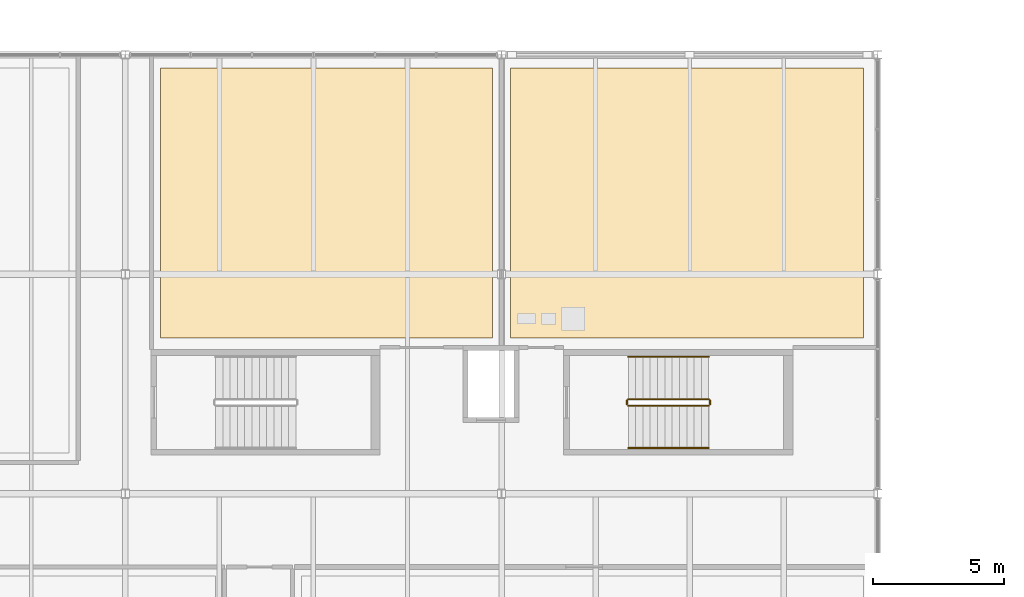
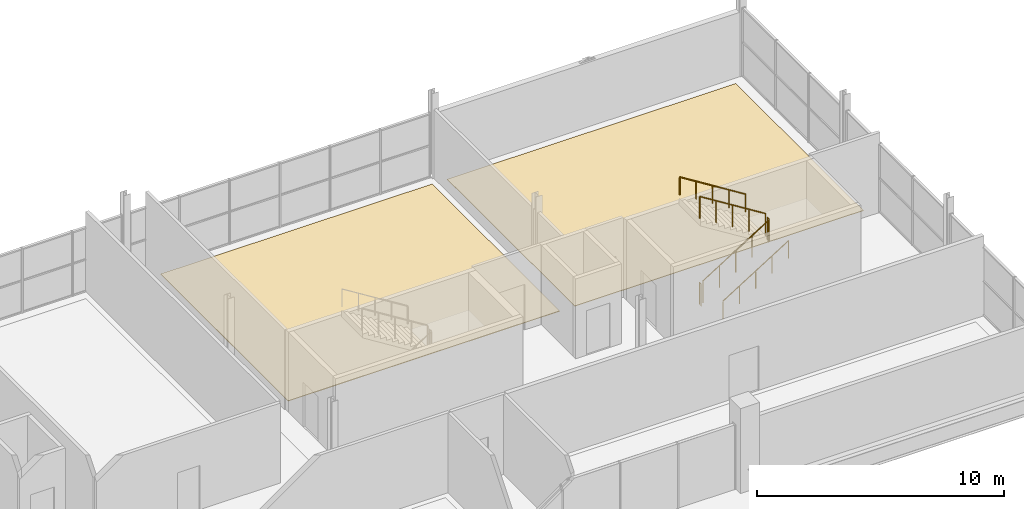
# One storey, part 92 of 93: 6 railings, 2 coverings.
"""IFC4 building model written with IfcOpenShell, lengths in metres."""

from ifc_helpers import new_model, si_unit, direction, frame, origin, origin_2d, place, context, subcontext, project, spatial, polyline, circle, outline, extrude, material, layer, layer_set, type_object, element, save


model = new_model("IFC4")

# Units and contexts
model_context = context("Model", 3, precision=1e-05, world=origin(), true_north=direction((0.0, 1.0)))
body_context = subcontext(model_context, "Body", "Model", "MODEL_VIEW")
ifc_project = project(units=[si_unit("LENGTHUNIT", "METRE"), si_unit("AREAUNIT", "SQUARE_METRE"), si_unit("VOLUMEUNIT", "CUBIC_METRE"), si_unit("PLANEANGLEUNIT", "RADIAN"), si_unit("MASSUNIT", "GRAM", prefix="KILO"), si_unit("THERMODYNAMICTEMPERATUREUNIT", "KELVIN")], contexts=[model_context])

# Site, building, storey
site_placement = place(None, origin())
site = spatial("IfcSite", under=ifc_project, at=site_placement, CompositionType="ELEMENT")
building_placement = place(site_placement, origin())
building = spatial("IfcBuilding", under=site, at=building_placement, Name="Nduvali Passage Aquatics Centre", CompositionType="ELEMENT")
storey_placement = place(building_placement, frame((0.0, 0.0, 9.0)))
storey = spatial("IfcBuildingStorey", under=building, at=storey_placement, Name="L02", CompositionType="ELEMENT", Elevation=9.0)

# Coverings
ifc_material_1 = material(Name="Polished coral-aggregate terrazzo")
ifc_layer_1 = layer(ifc_material_1, 0.030029296875, Name="Polished coral-aggregate terrazzo")
ifc_layer_set_1 = layer_set([ifc_layer_1], Name="Polished coral-aggregate terrazzo")
covering_type_1 = type_object("IfcCoveringType", Name="INT-COV-TERRAZZO", PredefinedType="FLOORING", material=ifc_layer_set_1)
covering_1_placement = place(storey_placement, origin())
element("IfcCovering", 1, at=covering_1_placement, inside=storey, type_object=covering_type_1, Name="L02 Physiotherapy and Aquatic Rehabilitation Clinic Floor Finish", PredefinedType="FLOORING", context=body_context, shape_type="SweptSolid", body=[
    extrude(outline(polyline([(98.550048828125, 106.75), (111.25, 106.75), (111.25, 117.090087890625), (98.550048828125, 117.090087890625), (98.550048828125, 106.75)])), origin(), (0.0, 0.0, 1.0), 0.030029296875),
])
ifc_material_2 = material(Name="Anti-slip ceramic pool deck tile")
ifc_layer_2 = layer(ifc_material_2, 0.02490234375, Name="Anti-slip ceramic pool deck tile")
ifc_layer_set_2 = layer_set([ifc_layer_2], Name="Anti-slip ceramic pool deck tile")
covering_type_2 = type_object("IfcCoveringType", Name="INT-COV-TILE", PredefinedType="FLOORING", material=ifc_layer_set_2)
covering_2_placement = place(storey_placement, origin())
element("IfcCovering", 2, at=covering_2_placement, inside=storey, type_object=covering_type_2, Name="L02 Sports Hydro-Rehabilitation and Gait Suite Floor Finish", PredefinedType="FLOORING", context=body_context, shape_type="SweptSolid", body=[
    extrude(outline(polyline([(111.949951171875, 106.75), (125.449951171875, 106.75), (125.449951171875, 117.090087890625), (111.949951171875, 117.090087890625), (111.949951171875, 106.75)])), origin(), (0.0, 0.0, 1.0), 0.02490234375),
])

# Railings
ifc_material_3 = material(Name="Stainless steel balustrade", Category="steel")
railing_type_1 = type_object("IfcRailingType", Name="INT-RLG-GRD110", PredefinedType="GUARDRAIL", material=ifc_material_3)
railing_1_placement = place(storey_placement, frame((116.449951171875, 104.169921875, 0.175048828125)))
element("IfcRailing", 3, at=railing_1_placement, inside=storey, type_object=railing_type_1, Name="L02 ST2 stair guard 1", PredefinedType="GUARDRAIL", context=body_context, shape_type="SweptSolid", body=[
    extrude(circle(Radius=0.02392578125, at=origin_2d()), frame((0.0, 0.0, 1.076171875), z_axis=(0.847998304005, 0.0, 0.529998940003), x_axis=(0.0, 1.0, 0.0)), (0.0, 0.0, 1.0), 3.632080078125),
    extrude(circle(Radius=0.02099609375, at=origin_2d()), origin(), (0.0, 0.0, 1.0), 1.052001953125),
    extrude(circle(Radius=0.02099609375, at=origin_2d()), frame((0.77001953125, 0.0, 0.481201171875)), (0.0, 0.0, 1.0), 1.052001953125),
    extrude(circle(Radius=0.02099609375, at=origin_2d()), frame((1.5400390625, 0.0, 0.96240234375)), (0.0, 0.0, 1.0), 1.052001953125),
    extrude(circle(Radius=0.02099609375, at=origin_2d()), frame((2.31005859375, 0.0, 1.44384765625)), (0.0, 0.0, 1.0), 1.052001953125),
    extrude(circle(Radius=0.02099609375, at=origin_2d()), frame((3.080078125, 0.0, 1.925048828125)), (0.0, 0.0, 1.0), 1.052001953125),
])
railing_2_placement = place(storey_placement, frame((119.580078125, 104.219970703125, 2.10009765625)))
element("IfcRailing", 4, at=railing_2_placement, inside=storey, type_object=railing_type_1, Name="L02 ST2 stair guard 2", PredefinedType="GUARDRAIL", context=body_context, shape_type="SweptSolid", body=[
    extrude(circle(Radius=0.02392578125, at=origin_2d()), frame((0.0, 0.0, 1.076171875), z_axis=(0.0, 1.0, 0.0), x_axis=(-1.0, 0.0, 0.0)), (0.0, 0.0, 1.0), 0.150146484375),
    extrude(circle(Radius=0.02099609375, at=origin_2d()), origin(), (0.0, 0.0, 1.0), 1.052001953125),
    extrude(circle(Radius=0.02099609375, at=origin_2d()), frame((0.0, 0.150146484375, 0.0)), (0.0, 0.0, 1.0), 1.052001953125),
])
railing_3_placement = place(storey_placement, frame((119.530029296875, 104.419921875, 2.27490234375)))
element("IfcRailing", 5, at=railing_3_placement, inside=storey, type_object=railing_type_1, Name="L02 ST2 stair guard 3", PredefinedType="GUARDRAIL", context=body_context, shape_type="SweptSolid", body=[
    extrude(circle(Radius=0.02392578125, at=origin_2d()), frame((0.0, 0.0, 1.076171875), z_axis=(-0.847998304005, 0.0, 0.529998940003), x_axis=(0.0, -1.0, 0.0)), (0.0, 0.0, 1.0), 3.632080078125),
    extrude(circle(Radius=0.02099609375, at=origin_2d()), origin(), (0.0, 0.0, 1.0), 1.052001953125),
    extrude(circle(Radius=0.02099609375, at=origin_2d()), frame((-0.77001953125, 0.0, 0.481201171875)), (0.0, 0.0, 1.0), 1.052001953125),
    extrude(circle(Radius=0.02099609375, at=origin_2d()), frame((-1.5400390625, 0.0, 0.96240234375)), (0.0, 0.0, 1.0), 1.052001953125),
    extrude(circle(Radius=0.02099609375, at=origin_2d()), frame((-2.31005859375, 0.0, 1.44384765625)), (0.0, 0.0, 1.0), 1.052001953125),
    extrude(circle(Radius=0.02099609375, at=origin_2d()), frame((-3.080078125, 0.0, 1.925048828125)), (0.0, 0.0, 1.0), 1.052001953125),
])
railing_4_placement = place(storey_placement, frame((116.39990234375, 104.219970703125, 0.0)))
element("IfcRailing", 6, at=railing_4_placement, inside=storey, type_object=railing_type_1, Name="L02 ST2 stair guard 4", PredefinedType="GUARDRAIL", context=body_context, shape_type="SweptSolid", body=[
    extrude(circle(Radius=0.02392578125, at=origin_2d()), frame((0.0, 0.0, 1.076171875), z_axis=(0.0, 1.0, 0.0), x_axis=(-1.0, 0.0, 0.0)), (0.0, 0.0, 1.0), 0.150146484375),
    extrude(circle(Radius=0.02099609375, at=origin_2d()), origin(), (0.0, 0.0, 1.0), 1.052001953125),
    extrude(circle(Radius=0.02099609375, at=origin_2d()), frame((0.0, 0.150146484375, 0.0)), (0.0, 0.0, 1.0), 1.052001953125),
])
railing_type_2 = type_object("IfcRailingType", Name="INT-RLG-HND90", PredefinedType="HANDRAIL", material=ifc_material_3)
railing_5_placement = place(storey_placement, frame((116.449951171875, 102.550048828125, 0.353759765625)))
element("IfcRailing", 7, at=railing_5_placement, inside=storey, type_object=railing_type_2, Name="L02 ST2 stair handrail 1", PredefinedType="HANDRAIL", context=body_context, shape_type="SweptSolid", body=[
    extrude(circle(Radius=0.02392578125, at=origin_2d()), frame((0.0, 0.0, 0.8759765625), z_axis=(0.848028513186, 0.0, 0.529950602248), x_axis=(0.0, 1.0, 0.0)), (0.0, 0.0, 1.0), 3.632080078125),
    extrude(circle(Radius=0.02099609375, at=origin_2d()), origin(), (0.0, 0.0, 1.0), 0.851806640625),
    extrude(circle(Radius=0.02099609375, at=origin_2d()), frame((0.77001953125, 0.0, 0.481201171875)), (0.0, 0.0, 1.0), 0.851806640625),
    extrude(circle(Radius=0.02099609375, at=origin_2d()), frame((1.5400390625, 0.0, 0.96240234375)), (0.0, 0.0, 1.0), 0.851806640625),
    extrude(circle(Radius=0.02099609375, at=origin_2d()), frame((2.31005859375, 0.0, 1.443603515625)), (0.0, 0.0, 1.0), 0.851806640625),
    extrude(circle(Radius=0.02099609375, at=origin_2d()), frame((3.080078125, 0.0, 1.9248046875)), (0.0, 0.0, 1.0), 0.851806640625),
])
railing_6_placement = place(storey_placement, frame((119.530029296875, 106.0400390625, 2.45361328125)))
element("IfcRailing", 8, at=railing_6_placement, inside=storey, type_object=railing_type_2, Name="L02 ST2 stair handrail 2", PredefinedType="HANDRAIL", context=body_context, shape_type="SweptSolid", body=[
    extrude(circle(Radius=0.02392578125, at=origin_2d()), frame((0.0, 0.0, 0.8759765625), z_axis=(-0.847998304005, 0.0, 0.529998940003), x_axis=(0.0, -1.0, 0.0)), (0.0, 0.0, 1.0), 3.632080078125),
    extrude(circle(Radius=0.02099609375, at=origin_2d()), origin(), (0.0, 0.0, 1.0), 0.851806640625),
    extrude(circle(Radius=0.02099609375, at=origin_2d()), frame((-0.77001953125, 0.0, 0.481201171875)), (0.0, 0.0, 1.0), 0.851806640625),
    extrude(circle(Radius=0.02099609375, at=origin_2d()), frame((-1.5400390625, 0.0, 0.96240234375)), (0.0, 0.0, 1.0), 0.851806640625),
    extrude(circle(Radius=0.02099609375, at=origin_2d()), frame((-2.31005859375, 0.0, 1.44384765625)), (0.0, 0.0, 1.0), 0.851806640625),
    extrude(circle(Radius=0.02099609375, at=origin_2d()), frame((-3.080078125, 0.0, 1.925048828125)), (0.0, 0.0, 1.0), 0.851806640625),
])

save(model, "model.ifc")
